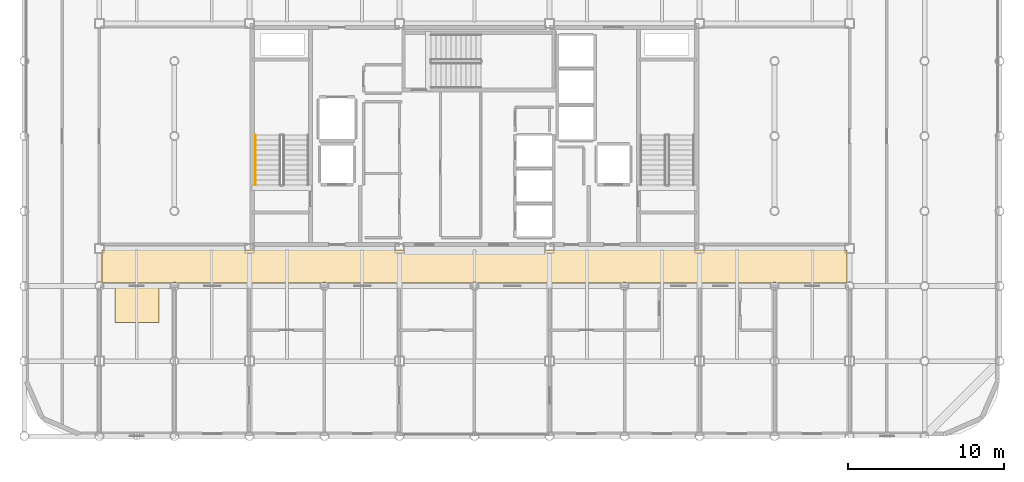
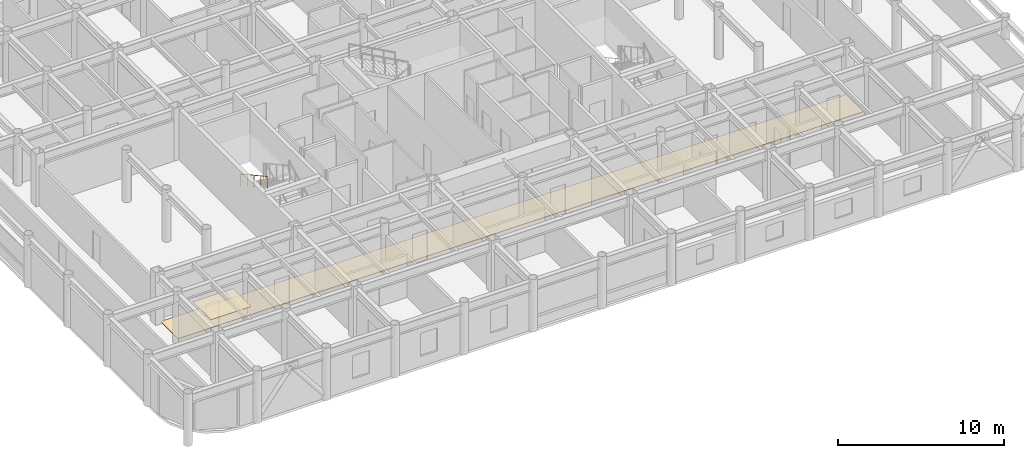
# One storey, part 23 of 24: 2 coverings, 1 railing.
"""IFC4 building model written with IfcOpenShell, lengths in metres."""

from ifc_helpers import new_model, si_unit, direction, frame, origin, origin_2d, place, context, subcontext, project, spatial, rectangle, circle, extrude, material, layer, layer_set, type_object, element, save


model = new_model("IFC4")

# Units and contexts
model_context = context("Model", 3, precision=1e-05, world=origin(), true_north=direction((0.0, 1.0)))
body_context = subcontext(model_context, "Body", "Model", "MODEL_VIEW")
ifc_project = project(units=[si_unit("LENGTHUNIT", "METRE"), si_unit("AREAUNIT", "SQUARE_METRE"), si_unit("VOLUMEUNIT", "CUBIC_METRE"), si_unit("PLANEANGLEUNIT", "RADIAN"), si_unit("MASSUNIT", "GRAM", prefix="KILO")], contexts=[model_context])

# Site, building, storey
site_placement = place(None, origin())
site = spatial("IfcSite", under=ifc_project, at=site_placement, CompositionType="ELEMENT")
building_placement = place(site_placement, origin())
building = spatial("IfcBuilding", under=site, at=building_placement, Name="Kallvorn Hotel Tower", CompositionType="ELEMENT")
storey_placement = place(building_placement, frame((0.0, 0.0, 233.85009765625)))
storey = spatial("IfcBuildingStorey", under=building, at=storey_placement, Name="L58", CompositionType="ELEMENT", Elevation=233.85009765625)

# Coverings
ifc_material_1 = material(Name="Mineral-fibre suspended acoustic ceiling tile")
ifc_layer_1 = layer(ifc_material_1, 0.030029296875)
ifc_layer_set_1 = layer_set([ifc_layer_1], Name="COV_CEILING_ACT")
covering_type_1 = type_object("IfcCoveringType", Name="COV_CEILING_ACT", PredefinedType="CEILING", material=ifc_layer_set_1)
covering_1_placement = place(storey_placement, frame((-21.60009765625, -10.820068359375, 2.634765625), z_axis=(0.0, 0.0, 1.0), x_axis=(1.0, 0.0, 0.0)))
element("IfcCovering", 1, at=covering_1_placement, inside=storey, type_object=covering_type_1, Name="L58 Suspended Acoustic Ceiling 01", PredefinedType="CEILING", context=body_context, shape_type="SweptSolid", body=[
    extrude(rectangle(XDim=2.800048828125, YDim=2.199951171875, at=origin_2d()), origin(), (0.0, 0.0, 1.0), 0.030029296875),
])
ifc_material_2 = material(Name="Honed Andean stone terrazzo floor finish", Category="masonry")
ifc_layer_2 = layer(ifc_material_2, 0.0400390625)
ifc_layer_set_2 = layer_set([ifc_layer_2], Name="COV_FLOOR_TERR")
covering_type_2 = type_object("IfcCoveringType", Name="COV_FLOOR_TERR", PredefinedType="FLOORING", material=ifc_layer_set_2)
covering_2_placement = place(storey_placement, frame((0.0, -8.35009765625, 0.0), z_axis=(0.0, 0.0, 1.0), x_axis=(1.0, 0.0, 0.0)))
element("IfcCovering", 2, at=covering_2_placement, inside=storey, type_object=covering_type_2, Name="L58 Honed Terrazzo Lobby Flooring 01", PredefinedType="FLOORING", context=body_context, shape_type="SweptSolid", body=[
    extrude(rectangle(XDim=47.659912109375, YDim=2.10009765625, at=origin_2d()), origin(), (0.0, 0.0, 1.0), 0.0400390625),
])

# Railing
ifc_material_3 = material(Name="Brushed stainless-steel tubular railing", Category="steel")
ifc_layer_3 = layer(ifc_material_3, 0.050048828125)
ifc_layer_set_3 = layer_set([ifc_layer_3], Name="RL_STAIR_HAND")
railing_type = type_object("IfcRailingType", Name="RL_STAIR_HAND", PredefinedType="HANDRAIL", material=ifc_layer_set_3)
railing_placement = place(storey_placement, frame((-14.010009765625, 0.06005859375, 2.099853515625)))
element("IfcRailing", 3, at=railing_placement, inside=storey, type_object=railing_type, Name="L58 ST1 stair handrail 2", PredefinedType="HANDRAIL", context=body_context, shape_type="SweptSolid", body=[
    extrude(circle(Radius=0.02392578125, at=origin_2d()), frame((0.0, 0.0, 0.8759765625), z_axis=(0.0, -0.877368057402, 0.479817977833), x_axis=(1.0, 0.0, 0.0)), (0.0, 0.0, 1.0), 3.647216796875),
    extrude(circle(Radius=0.02099609375, at=origin_2d()), origin(), (0.0, 0.0, 1.0), 0.851806640625),
    extrude(circle(Radius=0.02099609375, at=origin_2d()), frame((0.0, -0.800048828125, 0.4375)), (0.0, 0.0, 1.0), 0.851806640625),
    extrude(circle(Radius=0.02099609375, at=origin_2d()), frame((0.0, -1.60009765625, 0.875)), (0.0, 0.0, 1.0), 0.851806640625),
    extrude(circle(Radius=0.02099609375, at=origin_2d()), frame((0.0, -2.39990234375, 1.3125)), (0.0, 0.0, 1.0), 0.851806640625),
    extrude(circle(Radius=0.02099609375, at=origin_2d()), frame((0.0, -3.199951171875, 1.75)), (0.0, 0.0, 1.0), 0.851806640625),
])

save(model, "model.ifc")
